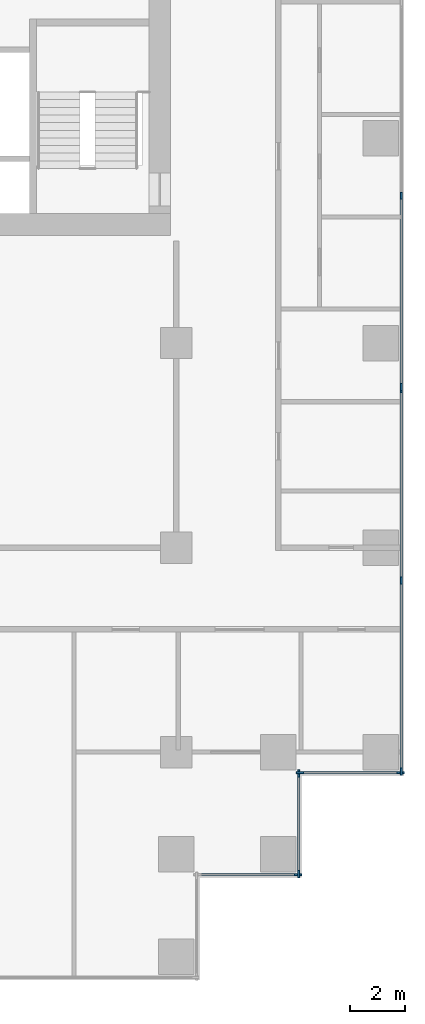
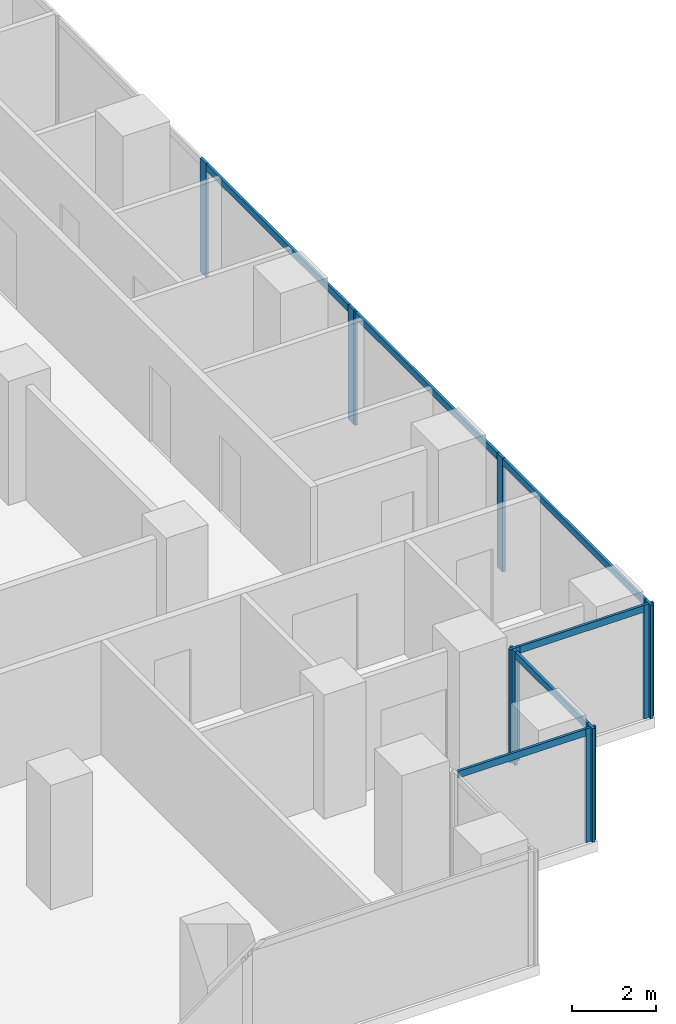
# One storey, part 3 of 11: 16 members, 5 elements without a shape of their own.
"""IFC4 building model written with IfcOpenShell, lengths in metres."""

from ifc_helpers import new_model, si_unit, direction, frame, origin, origin_2d, place, context, subcontext, project, spatial, rectangle, extrude, material, material_profile, profile_set, type_object, element, aggregate, save


model = new_model("IFC4")

# Units and contexts
model_context = context("Model", 3, precision=1e-05, world=origin(), true_north=direction((0.0, 1.0)))
body_context = subcontext(model_context, "Body", "Model", "MODEL_VIEW")
ifc_project = project(units=[si_unit("LENGTHUNIT", "METRE"), si_unit("AREAUNIT", "SQUARE_METRE"), si_unit("VOLUMEUNIT", "CUBIC_METRE"), si_unit("PLANEANGLEUNIT", "RADIAN"), si_unit("MASSUNIT", "GRAM", prefix="KILO")], contexts=[model_context])

# Site, building, storey
site_placement = place(None, origin())
site = spatial("IfcSite", under=ifc_project, at=site_placement, CompositionType="ELEMENT")
building_placement = place(site_placement, origin())
building = spatial("IfcBuilding", under=site, at=building_placement, Name="Pilkhan Gate Tower", CompositionType="ELEMENT")
storey_placement = place(building_placement, frame((0.0, 0.0, 121.60009765625)))
storey = spatial("IfcBuildingStorey", under=building, at=storey_placement, Name="L30", CompositionType="ELEMENT", Elevation=121.60009765625)

# Curtain wall, members
ifc_material_1 = material(Name="Pale anodised aluminium, clear low-iron double glazing", Category="aluminium")
curtain_wall_type = type_object("IfcCurtainWallType", Name="Office unitised curtain wall CW-O1", PredefinedType="USERDEFINED", material=ifc_material_1)
curtain_wall_1_placement = place(storey_placement, origin())
curtain_wall_1 = element("IfcCurtainWall", 1, at=curtain_wall_1_placement, inside=storey, type_object=curtain_wall_type, Name="Office unitised curtain wall CW-O1 L30 E", ObjectType="UNITISED CURTAIN WALL", PredefinedType="USERDEFINED")
ifc_material_2 = material(Name="Pale anodised aluminium", Category="aluminium")
ifc_material_profile_1 = material_profile(ifc_material_2, rectangle(XDim=0.070068359375, YDim=0.27490234375, at=origin_2d()), Name="Mullion 275x70")
ifc_profile_set_1 = profile_set([ifc_material_profile_1], Name="Pale anodised aluminium")
member_type_1 = type_object("IfcMemberType", Name="Mullion CW-O1 275x70", PredefinedType="MULLION", material=ifc_profile_set_1)
member_1_placement = place(storey_placement, frame((98.25, 51.784912109375, 0.0), z_axis=(0.0, 0.0, 1.0), x_axis=(-1.0, 0.0, 0.0)))
member_1 = element("IfcMember", 2, at=member_1_placement, type_object=member_type_1, Name="CW-O1 mullion 1", PredefinedType="MULLION", context=body_context, shape_type="SweptSolid", body=[
    extrude(rectangle(XDim=0.070068359375, YDim=0.27490234375, at=origin_2d()), origin(), (0.0, 0.0, 1.0), 3.2998046875),
])
member_2_placement = place(storey_placement, frame((98.25, 58.800048828125, 0.0), z_axis=(0.0, 0.0, 1.0), x_axis=(-1.0, 0.0, 0.0)))
member_2 = element("IfcMember", 3, at=member_2_placement, type_object=member_type_1, Name="CW-O1 mullion 2", PredefinedType="MULLION", context=body_context, shape_type="SweptSolid", body=[
    extrude(rectangle(XDim=0.070068359375, YDim=0.27490234375, at=origin_2d()), origin(), (0.0, 0.0, 1.0), 3.2998046875),
])
member_3_placement = place(storey_placement, frame((98.25, 65.81494140625, 0.0), z_axis=(0.0, 0.0, 1.0), x_axis=(-1.0, 0.0, 0.0)))
member_3 = element("IfcMember", 4, at=member_3_placement, type_object=member_type_1, Name="CW-O1 mullion 3", PredefinedType="MULLION", context=body_context, shape_type="SweptSolid", body=[
    extrude(rectangle(XDim=0.070068359375, YDim=0.27490234375, at=origin_2d()), origin(), (0.0, 0.0, 1.0), 3.2998046875),
])

curtain_wall_2_placement = place(storey_placement, origin())
curtain_wall_2 = element("IfcCurtainWall", 5, at=curtain_wall_2_placement, inside=storey, type_object=curtain_wall_type, Name="Office unitised curtain wall CW-O1 L30 E", ObjectType="UNITISED CURTAIN WALL", PredefinedType="USERDEFINED")
member_4_placement = place(storey_placement, frame((98.25, 65.885009765625, 0.0), z_axis=(0.0, 0.0, 1.0), x_axis=(-1.0, 0.0, 0.0)))
member_4 = element("IfcMember", 6, at=member_4_placement, type_object=member_type_1, Name="CW-O1 mullion 1", PredefinedType="MULLION", context=body_context, shape_type="SweptSolid", body=[
    extrude(rectangle(XDim=0.070068359375, YDim=0.27490234375, at=origin_2d()), origin(), (0.0, 0.0, 1.0), 3.2998046875),
])
member_5_placement = place(storey_placement, frame((98.25, 72.89990234375, 0.0), z_axis=(0.0, 0.0, 1.0), x_axis=(-1.0, 0.0, 0.0)))
member_5 = element("IfcMember", 7, at=member_5_placement, type_object=member_type_1, Name="CW-O1 mullion 2", PredefinedType="MULLION", context=body_context, shape_type="SweptSolid", body=[
    extrude(rectangle(XDim=0.070068359375, YDim=0.27490234375, at=origin_2d()), origin(), (0.0, 0.0, 1.0), 3.2998046875),
])

# Curtain wall, member
curtain_wall_3_placement = place(storey_placement, origin())
curtain_wall_3 = element("IfcCurtainWall", 8, at=curtain_wall_3_placement, inside=storey, type_object=curtain_wall_type, Name="Office unitised curtain wall CW-O1 L30 S", ObjectType="UNITISED CURTAIN WALL", PredefinedType="USERDEFINED")
member_6_placement = place(storey_placement, frame((94.465087890625, 48.0, 0.0), z_axis=(0.0, 0.0, 1.0), x_axis=(0.0, 1.0, 0.0)))
member_6 = element("IfcMember", 9, at=member_6_placement, type_object=member_type_1, Name="CW-O1 mullion 2", PredefinedType="MULLION", context=body_context, shape_type="SweptSolid", body=[
    extrude(rectangle(XDim=0.070068359375, YDim=0.27490234375, at=origin_2d()), origin(), (0.0, 0.0, 1.0), 3.2998046875),
])

# Curtain wall, members
curtain_wall_4_placement = place(storey_placement, origin())
curtain_wall_4 = element("IfcCurtainWall", 10, at=curtain_wall_4_placement, inside=storey, type_object=curtain_wall_type, Name="Office unitised curtain wall CW-O1 L30 E", ObjectType="UNITISED CURTAIN WALL", PredefinedType="USERDEFINED")
member_7_placement = place(storey_placement, frame((94.5, 48.034912109375, 0.0), z_axis=(0.0, 0.0, 1.0), x_axis=(-1.0, 0.0, 0.0)))
member_7 = element("IfcMember", 11, at=member_7_placement, type_object=member_type_1, Name="CW-O1 mullion 1", PredefinedType="MULLION", context=body_context, shape_type="SweptSolid", body=[
    extrude(rectangle(XDim=0.070068359375, YDim=0.27490234375, at=origin_2d()), origin(), (0.0, 0.0, 1.0), 3.2998046875),
])
member_8_placement = place(storey_placement, frame((94.5, 51.715087890625, 0.0), z_axis=(0.0, 0.0, 1.0), x_axis=(-1.0, 0.0, 0.0)))
member_8 = element("IfcMember", 12, at=member_8_placement, type_object=member_type_1, Name="CW-O1 mullion 2", PredefinedType="MULLION", context=body_context, shape_type="SweptSolid", body=[
    extrude(rectangle(XDim=0.070068359375, YDim=0.27490234375, at=origin_2d()), origin(), (0.0, 0.0, 1.0), 3.2998046875),
])

curtain_wall_5_placement = place(storey_placement, origin())
curtain_wall_5 = element("IfcCurtainWall", 13, at=curtain_wall_5_placement, inside=storey, type_object=curtain_wall_type, Name="Office unitised curtain wall CW-O1 L30 S", ObjectType="UNITISED CURTAIN WALL", PredefinedType="USERDEFINED")
member_9_placement = place(storey_placement, frame((94.534912109375, 51.75, 0.0), z_axis=(0.0, 0.0, 1.0), x_axis=(0.0, 1.0, 0.0)))
member_9 = element("IfcMember", 14, at=member_9_placement, type_object=member_type_1, Name="CW-O1 mullion 1", PredefinedType="MULLION", context=body_context, shape_type="SweptSolid", body=[
    extrude(rectangle(XDim=0.070068359375, YDim=0.27490234375, at=origin_2d()), origin(), (0.0, 0.0, 1.0), 3.2998046875),
])
member_10_placement = place(storey_placement, frame((98.215087890625, 51.75, 0.0), z_axis=(0.0, 0.0, 1.0), x_axis=(0.0, 1.0, 0.0)))
member_10 = element("IfcMember", 15, at=member_10_placement, type_object=member_type_1, Name="CW-O1 mullion 2", PredefinedType="MULLION", context=body_context, shape_type="SweptSolid", body=[
    extrude(rectangle(XDim=0.070068359375, YDim=0.27490234375, at=origin_2d()), origin(), (0.0, 0.0, 1.0), 3.2998046875),
])

# Member
ifc_material_profile_2 = material_profile(ifc_material_2, rectangle(XDim=0.070068359375, YDim=0.199951171875, at=origin_2d()), Name="Transom 200x70")
ifc_profile_set_2 = profile_set([ifc_material_profile_2], Name="Pale anodised aluminium")
member_type_2 = type_object("IfcMemberType", Name="Transom CW-O1 200x70", PredefinedType="USERDEFINED", material=ifc_profile_set_2)
member_11_placement = place(storey_placement, frame((98.25, 51.820068359375, 3.199951171875), z_axis=(0.0, 1.0, 0.0), x_axis=(-1.0, 0.0, 0.0)))
member_11 = element("IfcMember", 16, at=member_11_placement, type_object=member_type_2, Name="CW-O1 transom 1", ObjectType="TRANSOM", PredefinedType="USERDEFINED", context=body_context, shape_type="SweptSolid", body=[
    extrude(rectangle(XDim=0.070068359375, YDim=0.199951171875, at=origin_2d()), origin(), (0.0, 0.0, 1.0), 6.94482421875),
])

member_12_placement = place(storey_placement, frame((98.25, 58.8349609375, 3.199951171875), z_axis=(0.0, 1.0, 0.0), x_axis=(-1.0, 0.0, 0.0)))
member_12 = element("IfcMember", 17, at=member_12_placement, type_object=member_type_2, Name="CW-O1 transom 2", ObjectType="TRANSOM", PredefinedType="USERDEFINED", context=body_context, shape_type="SweptSolid", body=[
    extrude(rectangle(XDim=0.070068359375, YDim=0.199951171875, at=origin_2d()), origin(), (0.0, 0.0, 1.0), 6.945068359375),
])

aggregate(curtain_wall_1, [member_1, member_2, member_3, member_11, member_12])

member_13_placement = place(storey_placement, frame((98.25, 65.919921875, 3.199951171875), z_axis=(0.0, 1.0, 0.0), x_axis=(-1.0, 0.0, 0.0)))
member_13 = element("IfcMember", 18, at=member_13_placement, type_object=member_type_2, Name="CW-O1 transom 1", ObjectType="TRANSOM", PredefinedType="USERDEFINED", context=body_context, shape_type="SweptSolid", body=[
    extrude(rectangle(XDim=0.070068359375, YDim=0.199951171875, at=origin_2d()), origin(), (0.0, 0.0, 1.0), 6.945068359375),
])

aggregate(curtain_wall_2, [member_4, member_5, member_13])

member_14_placement = place(storey_placement, frame((90.820068359375, 48.0, 3.199951171875), z_axis=(1.0, 0.0, 0.0), x_axis=(0.0, 1.0, 0.0)))
member_14 = element("IfcMember", 19, at=member_14_placement, type_object=member_type_2, Name="CW-O1 transom 1", ObjectType="TRANSOM", PredefinedType="USERDEFINED", context=body_context, shape_type="SweptSolid", body=[
    extrude(rectangle(XDim=0.070068359375, YDim=0.199951171875, at=origin_2d()), origin(), (0.0, 0.0, 1.0), 3.60986328125),
])

aggregate(curtain_wall_3, [member_6, member_14])

member_15_placement = place(storey_placement, frame((94.5, 48.070068359375, 3.199951171875), z_axis=(0.0, 1.0, 0.0), x_axis=(-1.0, 0.0, 0.0)))
member_15 = element("IfcMember", 20, at=member_15_placement, type_object=member_type_2, Name="CW-O1 transom 1", ObjectType="TRANSOM", PredefinedType="USERDEFINED", context=body_context, shape_type="SweptSolid", body=[
    extrude(rectangle(XDim=0.070068359375, YDim=0.199951171875, at=origin_2d()), origin(), (0.0, 0.0, 1.0), 3.60986328125),
])

aggregate(curtain_wall_4, [member_7, member_8, member_15])

member_16_placement = place(storey_placement, frame((94.570068359375, 51.75, 3.199951171875), z_axis=(1.0, 0.0, 0.0), x_axis=(0.0, 1.0, 0.0)))
member_16 = element("IfcMember", 21, at=member_16_placement, type_object=member_type_2, Name="CW-O1 transom 1", ObjectType="TRANSOM", PredefinedType="USERDEFINED", context=body_context, shape_type="SweptSolid", body=[
    extrude(rectangle(XDim=0.070068359375, YDim=0.199951171875, at=origin_2d()), origin(), (0.0, 0.0, 1.0), 3.60986328125),
])

aggregate(curtain_wall_5, [member_9, member_10, member_16])

save(model, "model.ifc")
